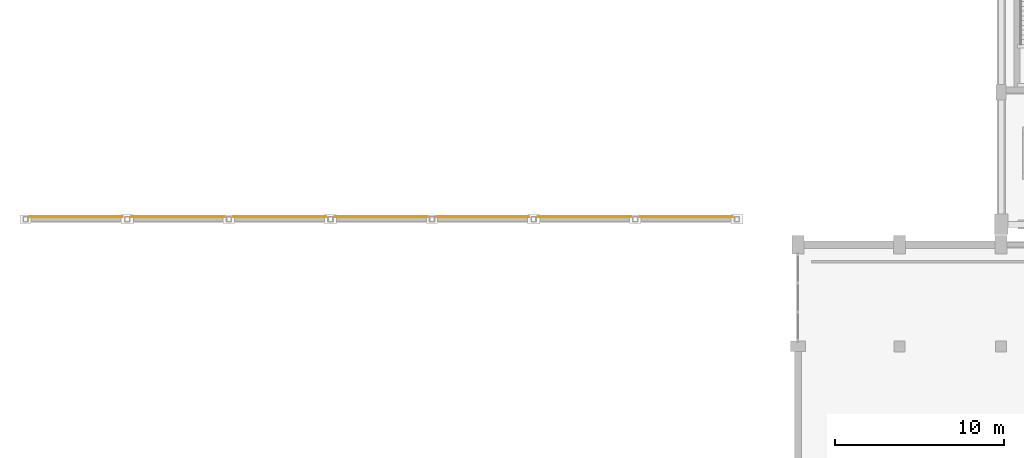
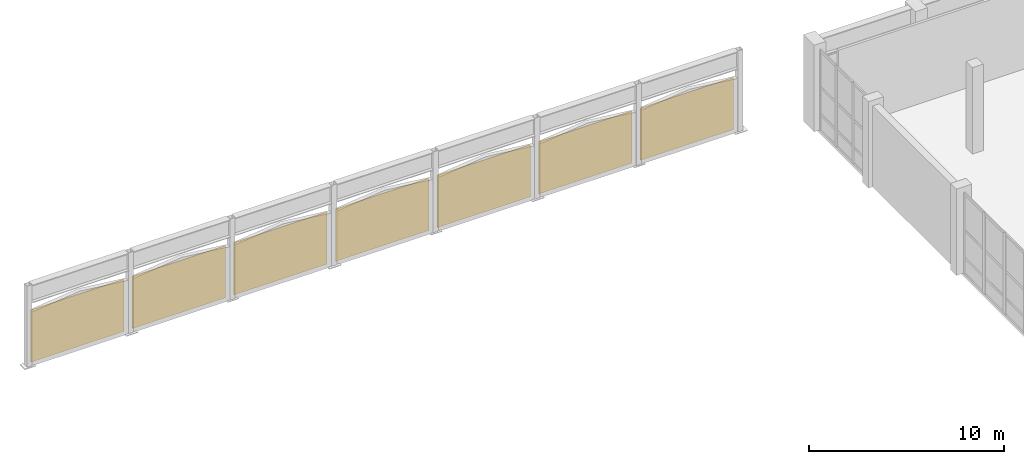
# One storey, part 39 of 41: 7 coverings.
"""IFC4 building model written with IfcOpenShell, lengths in metres."""

from ifc_helpers import new_model, si_unit, direction, frame, origin, origin_2d, place, context, subcontext, project, spatial, rectangle, extrude, material, layer, layer_set, type_object, element, save


model = new_model("IFC4")

# Units and contexts
model_context = context("Model", 3, precision=1e-05, world=origin(), true_north=direction((0.0, 1.0)))
body_context = subcontext(model_context, "Body", "Model", "MODEL_VIEW")
ifc_project = project(units=[si_unit("LENGTHUNIT", "METRE"), si_unit("AREAUNIT", "SQUARE_METRE"), si_unit("VOLUMEUNIT", "CUBIC_METRE"), si_unit("PLANEANGLEUNIT", "RADIAN"), si_unit("MASSUNIT", "GRAM", prefix="KILO")], contexts=[model_context])

# Site, building, storey
site_placement = place(None, origin())
site = spatial("IfcSite", under=ifc_project, at=site_placement, CompositionType="ELEMENT")
building_placement = place(site_placement, origin())
building = spatial("IfcBuilding", under=site, at=building_placement, Name="Vaelkrest Opera House", CompositionType="ELEMENT")
storey_placement = place(building_placement, frame((0.0, 0.0, 24.60009765625)))
storey = spatial("IfcBuildingStorey", under=building, at=storey_placement, Name="L05", CompositionType="ELEMENT", Elevation=24.60009765625)

# Coverings
ifc_material = material(Name="American black walnut acoustic timber", Category="wood")
ifc_layer = layer(ifc_material, 0.0400390625)
ifc_layer_set = layer_set([ifc_layer], Name="American black walnut acoustic timber")
covering_type = type_object("IfcCoveringType", Name="COV-CL01", PredefinedType="CLADDING", material=ifc_layer_set)
for number, where, z_axis, x_axis, name in (
    (1, (-72.60009765625, 17.847412109375, 0.0498046875), (0.0, 0.0, 1.0), (1.0, 0.0, 0.0), "Walnut timber facade cladding V3-01"),
    (2, (-66.60009765625, 17.847412109375, 0.0498046875), (0.0, 0.0, 1.0), (1.0, 0.0, 0.0), "Walnut timber facade cladding V3-02"),
    (3, (-60.60009765625, 17.847412109375, 0.0498046875), (0.0, 0.0, 1.0), (1.0, 0.0, 0.0), "Walnut timber facade cladding V3-03"),
    (4, (-54.60009765625, 17.847412109375, 0.0498046875), (0.0, 0.0, 1.0), (1.0, 0.0, 0.0), "Walnut timber facade cladding V3-04"),
    (5, (-48.60009765625, 17.847412109375, 0.0498046875), (0.0, 0.0, 1.0), (1.0, 0.0, 0.0), "Walnut timber facade cladding V3-05"),
    (6, (-42.60009765625, 17.847412109375, 0.0498046875), (0.0, 0.0, 1.0), (1.0, 0.0, 0.0), "Walnut timber facade cladding V3-06"),
    (7, (-36.60009765625, 17.847412109375, 0.0498046875), (0.0, 0.0, 1.0), (1.0, 0.0, 0.0), "Walnut timber facade cladding V3-07"),
):
    element("IfcCovering", number, at=place(storey_placement, frame(where, z_axis=z_axis, x_axis=x_axis)), inside=storey, type_object=covering_type, Name=name, PredefinedType="CLADDING", context=body_context, shape_type="SweptSolid", body=[
        extrude(rectangle(XDim=5.5, YDim=0.0400390625, at=origin_2d()), origin(), (0.0, 0.0, 1.0), 3.256103515625),
    ])

save(model, "model.ifc")
